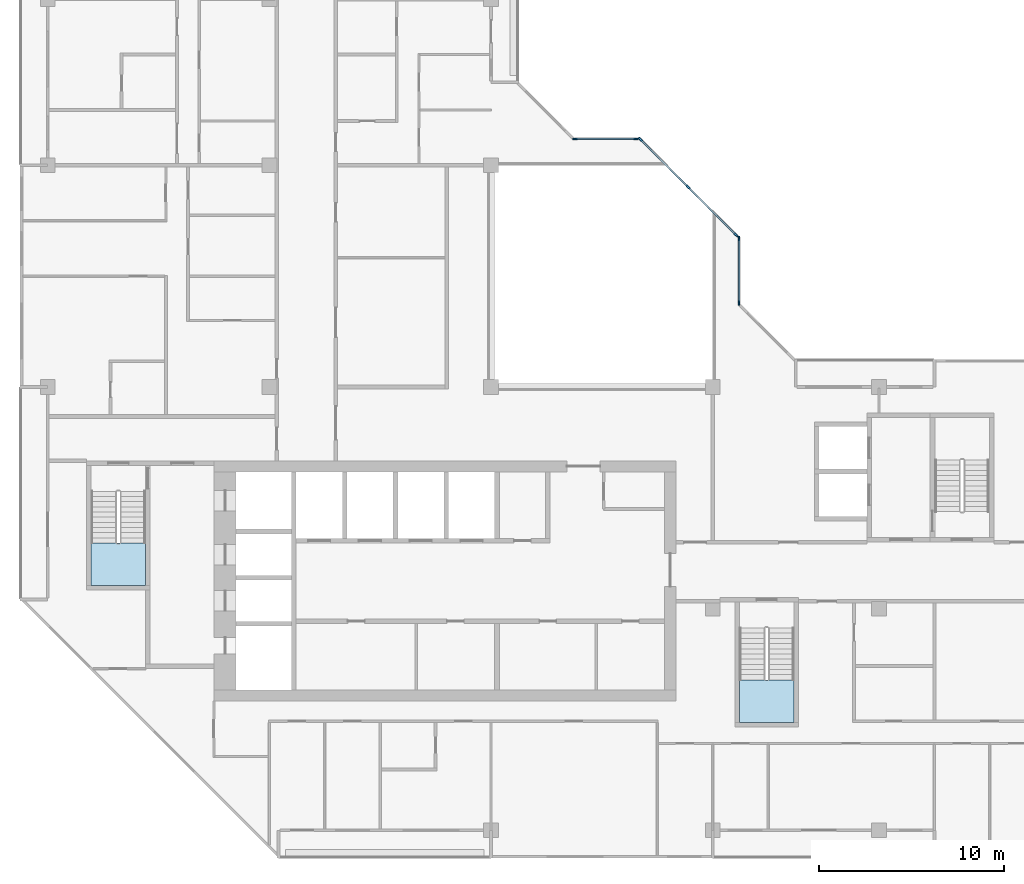
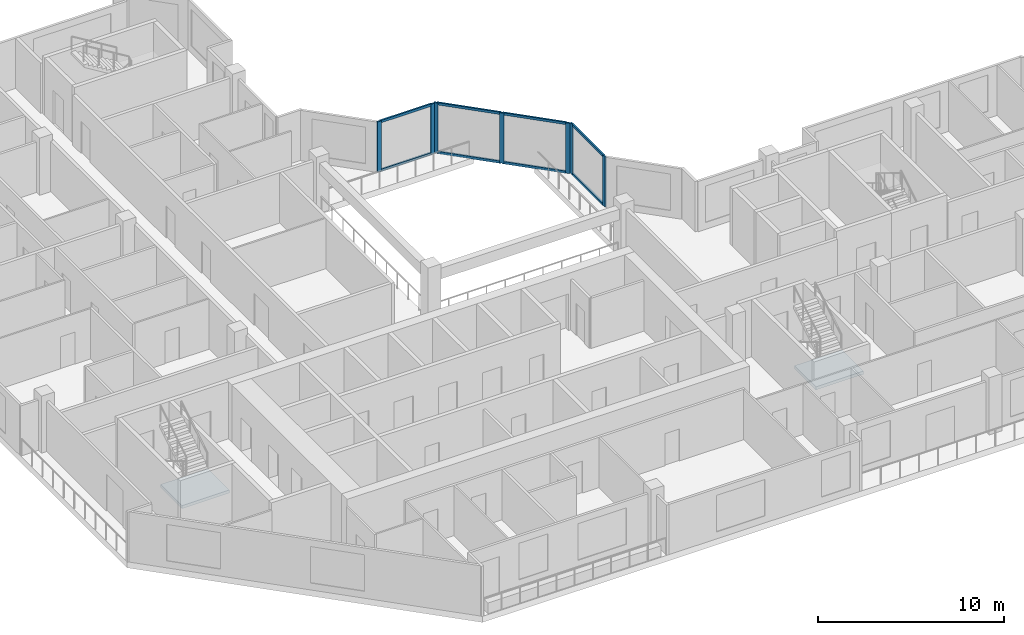
# One storey, part 2 of 13: 15 members, 2 slabs, 5 elements without a shape of their own.
"""IFC4 building model written with IfcOpenShell, lengths in metres."""

import ifcopenshell
import ifcopenshell.guid

model = None  # the IFC model being written
_history = None  # IfcOwnerHistory: only IFC2X3 demands one
_inside = {}  # id of a spatial element -> (the spatial element, [elements in it])
_under = {}  # id of a project, library or spatial element -> (it, [spatial elements below it])
_declared = {}  # id of a project -> (the project, [libraries it declares])
_typed = {}  # id of a type object -> (the type object, [elements of that type])
_made_of = {}  # id of a material, layer set ... -> (it, [elements and type objects made of it])


def new_model(schema):
    """Start an empty IFC model of exactly this schema.

    Asked for "IFC4X3", IfcOpenShell would pick the latest addendum, in which some entities
    have other attributes; the version numbers below select the first issue.
    IFC2X3 requires an IfcOwnerHistory on every rooted entity: one is made here for all.
    """
    global model, _history
    if schema == "IFC4X3":
        model = ifcopenshell.file(schema_version=(4, 3, 0, 0))
    else:
        model = ifcopenshell.file(schema=schema)
    _inside.clear()
    _under.clear()
    _declared.clear()
    _typed.clear()
    _made_of.clear()
    _history = None
    if model.schema == "IFC2X3":
        org = make("IfcOrganization", Name="unknown")
        user = make(
            "IfcPersonAndOrganization",
            ThePerson=make("IfcPerson", FamilyName="unknown"),
            TheOrganization=org,
        )
        app = make(
            "IfcApplication",
            ApplicationDeveloper=org,
            Version="unknown",
            ApplicationFullName="unknown",
            ApplicationIdentifier="unknown",
        )
        _history = make(
            "IfcOwnerHistory",
            OwningUser=user,
            OwningApplication=app,
            ChangeAction="ADDED",
            CreationDate=0,
        )
    return model


def make(cls, **values):
    """One entity of the class cls with the attributes given. An attribute that is None is left unset."""
    return model.create_entity(
        cls, **{name: value for name, value in values.items() if value is not None}
    )


def rooted(cls, **values):
    """An entity with a GlobalId (a new one), such as an element, a storey or a relation."""
    return make(cls, GlobalId=ifcopenshell.guid.new(), OwnerHistory=_history, **values)


def si_unit(unit_type, name, prefix=None):
    """IfcSIUnit, for example si_unit("LENGTHUNIT", "METRE", prefix="MILLI")."""
    return make("IfcSIUnit", UnitType=unit_type, Prefix=prefix, Name=name)


def assignment(units):
    """IfcUnitAssignment: the units of a project."""
    return None if units is None else make("IfcUnitAssignment", Units=units)


def point(xyz):
    """IfcCartesianPoint."""
    return None if xyz is None else make("IfcCartesianPoint", Coordinates=xyz)


def direction(xyz):
    """IfcDirection."""
    return None if xyz is None else make("IfcDirection", DirectionRatios=xyz)


def frame(location, z_axis=None, x_axis=None):
    """IfcAxis2Placement3D, a coordinate frame: its origin and axes. An axis left out is left unset."""
    return make(
        "IfcAxis2Placement3D",
        Location=point(location),
        Axis=direction(z_axis),
        RefDirection=direction(x_axis),
    )


def frame_2d(location, x_axis=None):
    """IfcAxis2Placement2D, a coordinate frame in the plane: its origin and x axis."""
    return make(
        "IfcAxis2Placement2D", Location=point(location), RefDirection=direction(x_axis)
    )


def origin():
    """The frame at (0, 0, 0) with its axes left unset."""
    return frame((0.0, 0.0, 0.0))


def origin_2d():
    """The frame at (0, 0) in the plane with its x axis left unset."""
    return frame_2d((0.0, 0.0))


def place(relative_to, where):
    """IfcLocalPlacement: puts the frame where relative to a parent placement (None: the world)."""
    return make(
        "IfcLocalPlacement", PlacementRelTo=relative_to, RelativePlacement=where
    )


def context(
    kind, dimensions, precision=None, world=None, true_north=None, identifier=None
):
    """IfcGeometricRepresentationContext, for example the 3D "Model" context."""
    return make(
        "IfcGeometricRepresentationContext",
        ContextIdentifier=identifier,
        ContextType=kind,
        CoordinateSpaceDimension=dimensions,
        Precision=precision,
        WorldCoordinateSystem=world,
        TrueNorth=true_north,
    )


def subcontext(parent, identifier, kind, view, scale=None):
    """IfcGeometricRepresentationSubContext, for example "Body" below "Model"."""
    return make(
        "IfcGeometricRepresentationSubContext",
        ContextIdentifier=identifier,
        ContextType=kind,
        ParentContext=parent,
        TargetScale=scale,
        TargetView=view,
    )


def project(units=None, contexts=None):
    """IfcProject with its units and contexts."""
    return rooted(
        "IfcProject",
        Name="project",
        RepresentationContexts=contexts,
        UnitsInContext=assignment(units),
    )


def spatial(cls, under=None, at=None, **own):
    """A site, building, storey or space (cls), placed at a placement, below another one or the project."""
    s = rooted(cls, ObjectPlacement=at, **own)
    if under is not None:
        _under.setdefault(under.id(), (under, []))[1].append(s)
    return s


def polyline(points):
    """IfcPolyline through the points."""
    return make("IfcPolyline", Points=[point(p) for p in points])


def profile(cls, at=None, kind="AREA", **sizes):
    """A parametric profile (cls). Its sizes go by their IFC names, for example OverallWidth=200.0."""
    return make(cls, ProfileType=kind, Position=at, **sizes)


def rectangle(**sizes):
    """IfcRectangleProfileDef."""
    return profile("IfcRectangleProfileDef", **sizes)


def outline(outer, holes=None, kind="AREA"):
    """IfcArbitraryClosedProfileDef: a profile drawn as a closed curve; with holes, ...WithVoids."""
    if holes is None:
        return make("IfcArbitraryClosedProfileDef", ProfileType=kind, OuterCurve=outer)
    return make(
        "IfcArbitraryProfileDefWithVoids",
        ProfileType=kind,
        OuterCurve=outer,
        InnerCurves=holes,
    )


def extrude(swept, where, along, depth):
    """IfcExtrudedAreaSolid: the profile swept, set in the frame where, extruded along a direction by depth."""
    return make(
        "IfcExtrudedAreaSolid",
        SweptArea=swept,
        Position=where,
        ExtrudedDirection=direction(along),
        Depth=depth,
    )


def shape(context_of_items, identifier, shape_type, items):
    """IfcShapeRepresentation: the items that make up one representation, for example the "Body"."""
    return make(
        "IfcShapeRepresentation",
        ContextOfItems=context_of_items,
        RepresentationIdentifier=identifier,
        RepresentationType=shape_type,
        Items=items,
    )


def material(Name=None, Category=None):
    """IfcMaterial."""
    return make("IfcMaterial", Name=Name, Category=Category)


def layer(
    of_material, thickness, ventilated=None, Name=None, Category=None, Priority=None
):
    """IfcMaterialLayer: one layer of a wall or slab, of a material (None: an air gap)."""
    return make(
        "IfcMaterialLayer",
        Material=of_material,
        LayerThickness=thickness,
        IsVentilated=ventilated,
        Name=Name,
        Category=Category,
        Priority=Priority,
    )


def layer_set(layers, Name=None):
    """IfcMaterialLayerSet."""
    return make("IfcMaterialLayerSet", MaterialLayers=layers, LayerSetName=Name)


def material_profile(
    of_material, cross_section, Name=None, Category=None, Priority=None
):
    """IfcMaterialProfile: a cross section and its material."""
    return make(
        "IfcMaterialProfile",
        Name=Name,
        Material=of_material,
        Profile=cross_section,
        Priority=Priority,
        Category=Category,
    )


def profile_set(profiles, Name=None, composite=None):
    """IfcMaterialProfileSet."""
    return make(
        "IfcMaterialProfileSet",
        Name=Name,
        MaterialProfiles=profiles,
        CompositeProfile=composite,
    )


def made_of(thing, what):
    """Note that an element or type object is made of a material, layer set ...; save() writes the relation."""
    if what is not None:
        _made_of.setdefault(what.id(), (what, []))[1].append(thing)
    return thing


def type_object(cls, material=None, **own):
    """A type object (cls), such as IfcWallType, which elements share."""
    return made_of(rooted(cls, **own), material)


def element(
    cls,
    number,
    at=None,
    inside=None,
    cuts=None,
    type_object=None,
    material=None,
    context=None,
    identifier="Body",
    shape_type=None,
    held_by="IfcProductDefinitionShape",
    body=None,
    shapes=None,
    **own,
):
    """One element of the class cls, such as IfcWall. Its Tag is "e" and its number.

    at: its placement. inside: the storey or other place that contains it. cuts: it is an
    opening in that element (IfcRelVoidsElement). A single representation is given by context,
    identifier, shape_type and body (its items); several are given by shapes. held_by: the class
    of the entity that holds the representations. save() writes the other relations.
    """
    e = rooted(cls, Tag="e%d" % number, ObjectPlacement=at, **own)
    if body is not None:
        shapes = [shape(context, identifier, shape_type, body)]
    if shapes is not None:
        e.Representation = make(held_by, Representations=shapes)
    if inside is not None:
        _inside.setdefault(inside.id(), (inside, []))[1].append(e)
    if cuts is not None:
        rooted(
            "IfcRelVoidsElement", RelatingBuildingElement=cuts, RelatedOpeningElement=e
        )
    if type_object is not None:
        _typed.setdefault(type_object.id(), (type_object, []))[1].append(e)
    return made_of(e, material)


def aggregate(whole, parts):
    """IfcRelAggregates: a whole, such as a stair, and the parts it consists of."""
    return rooted("IfcRelAggregates", RelatingObject=whole, RelatedObjects=parts)


def save(model, path):
    """Write the relations noted so far, then the file.

    IfcRelAggregates (storeys below a building ...), IfcRelContainedInSpatialStructure (elements
    in a storey), IfcRelDefinesByType, IfcRelAssociatesMaterial and IfcRelDeclares: one each for
    every whole, place, type object, material and project.
    """
    for whole, parts in _under.values():
        aggregate(whole, parts)
    for where, things in _inside.values():
        rooted(
            "IfcRelContainedInSpatialStructure",
            RelatedElements=things,
            RelatingStructure=where,
        )
    for kind, things in _typed.values():
        rooted("IfcRelDefinesByType", RelatedObjects=things, RelatingType=kind)
    for what, things in _made_of.values():
        rooted("IfcRelAssociatesMaterial", RelatedObjects=things, RelatingMaterial=what)
    for by, libraries in _declared.values():
        rooted("IfcRelDeclares", RelatingContext=by, RelatedDefinitions=libraries)
    model.write(path)


model = new_model("IFC4")

# Units and contexts
model_context = context("Model", 3, precision=1e-05, world=origin(), true_north=direction((0.0, 1.0)))
body_context = subcontext(model_context, "Body", "Model", "MODEL_VIEW")
ifc_project = project(units=[si_unit("LENGTHUNIT", "METRE"), si_unit("AREAUNIT", "SQUARE_METRE"), si_unit("VOLUMEUNIT", "CUBIC_METRE"), si_unit("PLANEANGLEUNIT", "RADIAN"), si_unit("MASSUNIT", "GRAM", prefix="KILO")], contexts=[model_context])

# Site, building, storey
site_placement = place(None, origin())
site = spatial("IfcSite", under=ifc_project, at=site_placement, CompositionType="ELEMENT")
building_placement = place(site_placement, origin())
building = spatial("IfcBuilding", under=site, at=building_placement, Name="Chenar Terraces", CompositionType="ELEMENT")
storey_placement = place(building_placement, frame((0.0, 0.0, 318.39990234375)))
storey = spatial("IfcBuildingStorey", under=building, at=storey_placement, Name="L75", CompositionType="ELEMENT", Elevation=318.39990234375)

# Curtain wall, members
ifc_material_1 = material(Name="Aluminium framed glazing", Category="aluminium")
ifc_layer_1 = layer(ifc_material_1, 0.14990234375)
ifc_layer_set_1 = layer_set([ifc_layer_1], Name="Aluminium framed glazing")
curtain_wall_type = type_object("IfcCurtainWallType", Name="Atrium upper-zone curtain wall", PredefinedType="NOTDEFINED", material=ifc_layer_set_1)
placement_1 = place(storey_placement, origin())
curtain_wall_1 = element("IfcCurtainWall", 1, at=placement_1, inside=storey, type_object=curtain_wall_type, Name="Atrium upper-zone curtain wall", PredefinedType="NOTDEFINED")
ifc_material_2 = material(Name="Aluminium", Category="aluminium")
ifc_material_profile_1 = material_profile(ifc_material_2, rectangle(XDim=0.10009765625, YDim=0.239990234375, at=origin_2d()), Name="Atrium upper-zone glazing mullion 100 x 240")
ifc_profile_set_1 = profile_set([ifc_material_profile_1], Name="Aluminium")
member_type_1 = type_object("IfcMemberType", Name="Atrium upper-zone glazing mullion 100 x 240", PredefinedType="MULLION", material=ifc_profile_set_1)
member_1_placement = place(storey_placement, frame((37.425048828125, 28.550048828125, 0.0), z_axis=(0.0, 0.0, 1.0), x_axis=(-1.0, 0.0, 0.0)))
member_1 = element("IfcMember", 2, at=member_1_placement, type_object=member_type_1, Name="CW8-1 mullion 1", PredefinedType="MULLION", context=body_context, shape_type="SweptSolid", body=[
    extrude(rectangle(XDim=0.10009765625, YDim=0.239990234375, at=origin_2d()), origin(), (0.0, 0.0, 1.0), 3.300048828125),
])
member_2_placement = place(storey_placement, frame((37.425048828125, 32.050048828125, 0.0), z_axis=(0.0, 0.0, 1.0), x_axis=(-1.0, 0.0, 0.0)))
member_2 = element("IfcMember", 3, at=member_2_placement, type_object=member_type_1, Name="CW8-1 mullion 2", PredefinedType="MULLION", context=body_context, shape_type="SweptSolid", body=[
    extrude(rectangle(XDim=0.10009765625, YDim=0.239990234375, at=origin_2d()), origin(), (0.0, 0.0, 1.0), 3.300048828125),
])

curtain_wall_2 = element("IfcCurtainWall", 4, at=placement_1, inside=storey, type_object=curtain_wall_type, Name="Atrium upper-zone curtain wall", PredefinedType="NOTDEFINED")
member_3_placement = place(storey_placement, frame((37.270263671875, 32.2236328125, 0.0), z_axis=(0.0, 0.0, 1.0), x_axis=(-0.707106781187, -0.707106781187, 0.0)))
member_3 = element("IfcMember", 5, at=member_3_placement, type_object=member_type_1, Name="CW8-2 mullion 1", PredefinedType="MULLION", context=body_context, shape_type="SweptSolid", body=[
    extrude(rectangle(XDim=0.10009765625, YDim=0.239990234375, at=origin_2d()), origin(), (0.0, 0.0, 1.0), 3.300048828125),
])
member_4_placement = place(storey_placement, frame((34.67626953125, 34.817626953125, 0.0), z_axis=(0.0, 0.0, 1.0), x_axis=(-0.707106781187, -0.707106781187, 0.0)))
member_4 = element("IfcMember", 6, at=member_4_placement, type_object=member_type_1, Name="CW8-2 mullion 2", PredefinedType="MULLION", context=body_context, shape_type="SweptSolid", body=[
    extrude(rectangle(XDim=0.10009765625, YDim=0.239990234375, at=origin_2d()), origin(), (0.0, 0.0, 1.0), 3.300048828125),
])
member_5_placement = place(storey_placement, frame((32.082275390625, 37.41162109375, 0.0), z_axis=(0.0, 0.0, 1.0), x_axis=(-0.707106781187, -0.707106781187, 0.0)))
member_5 = element("IfcMember", 7, at=member_5_placement, type_object=member_type_1, Name="CW8-2 mullion 3", PredefinedType="MULLION", context=body_context, shape_type="SweptSolid", body=[
    extrude(rectangle(XDim=0.10009765625, YDim=0.239990234375, at=origin_2d()), origin(), (0.0, 0.0, 1.0), 3.300048828125),
])

curtain_wall_3 = element("IfcCurtainWall", 8, at=placement_1, inside=storey, type_object=curtain_wall_type, Name="Atrium upper-zone curtain wall", PredefinedType="NOTDEFINED")
member_6_placement = place(storey_placement, frame((31.85009765625, 37.425048828125, 0.0), z_axis=(0.0, 0.0, 1.0), x_axis=(0.0, -1.0, 0.0)))
member_6 = element("IfcMember", 9, at=member_6_placement, type_object=member_type_1, Name="CW8-3 mullion 1", PredefinedType="MULLION", context=body_context, shape_type="SweptSolid", body=[
    extrude(rectangle(XDim=0.10009765625, YDim=0.239990234375, at=origin_2d()), origin(), (0.0, 0.0, 1.0), 3.300048828125),
])
member_7_placement = place(storey_placement, frame((28.550048828125, 37.425048828125, 0.0), z_axis=(0.0, 0.0, 1.0), x_axis=(0.0, -1.0, 0.0)))
member_7 = element("IfcMember", 10, at=member_7_placement, type_object=member_type_1, Name="CW8-3 mullion 2", PredefinedType="MULLION", context=body_context, shape_type="SweptSolid", body=[
    extrude(rectangle(XDim=0.10009765625, YDim=0.239990234375, at=origin_2d()), origin(), (0.0, 0.0, 1.0), 3.300048828125),
])

# Member
ifc_material_3 = material(Name="Aluminium", Category="aluminium")
ifc_material_profile_2 = material_profile(ifc_material_3, rectangle(XDim=0.10009765625, YDim=0.159912109375, at=origin_2d()), Name="Atrium upper-zone glazing transom 100 x 160")
ifc_profile_set_2 = profile_set([ifc_material_profile_2], Name="Aluminium")
member_type_2 = type_object("IfcMemberType", Name="Atrium upper-zone glazing transom 100 x 160", PredefinedType="USERDEFINED", material=ifc_profile_set_2)
member_8_placement = place(storey_placement, frame((37.425048828125, 28.60009765625, 0.050048828125), z_axis=(0.0, 1.0, 0.0), x_axis=(-1.0, 0.0, 0.0)))
member_8 = element("IfcMember", 11, at=member_8_placement, type_object=member_type_2, Name="CW8-1 transom 1.1", ObjectType="TRANSOM", PredefinedType="USERDEFINED", context=body_context, shape_type="SweptSolid", body=[
    extrude(rectangle(XDim=0.10009765625, YDim=0.159912109375, at=origin_2d()), origin(), (0.0, 0.0, 1.0), 3.39990234375),
])

member_9_placement = place(storey_placement, frame((37.425048828125, 28.60009765625, 3.25), z_axis=(0.0, 1.0, 0.0), x_axis=(-1.0, 0.0, 0.0)))
member_9 = element("IfcMember", 12, at=member_9_placement, type_object=member_type_2, Name="CW8-1 transom 1.2", ObjectType="TRANSOM", PredefinedType="USERDEFINED", context=body_context, shape_type="SweptSolid", body=[
    extrude(rectangle(XDim=0.10009765625, YDim=0.159912109375, at=origin_2d()), origin(), (0.0, 0.0, 1.0), 3.39990234375),
])

aggregate(curtain_wall_1, [member_1, member_2, member_8, member_9])

member_10_placement = place(storey_placement, frame((37.23486328125, 32.259033203125, 0.050048828125), z_axis=(-0.707106781187, 0.707106781187, 0.0), x_axis=(-0.707106781187, -0.707106781187, 0.0)))
member_10 = element("IfcMember", 13, at=member_10_placement, type_object=member_type_2, Name="CW8-2 transom 1.1", ObjectType="TRANSOM", PredefinedType="USERDEFINED", context=body_context, shape_type="SweptSolid", body=[
    extrude(rectangle(XDim=0.10009765625, YDim=0.159912109375, at=origin_2d()), origin(), (0.0, 0.0, 1.0), 3.568359375),
])

member_11_placement = place(storey_placement, frame((37.23486328125, 32.259033203125, 3.25), z_axis=(-0.707106781187, 0.707106781187, 0.0), x_axis=(-0.707106781187, -0.707106781187, 0.0)))
member_11 = element("IfcMember", 14, at=member_11_placement, type_object=member_type_2, Name="CW8-2 transom 1.2", ObjectType="TRANSOM", PredefinedType="USERDEFINED", context=body_context, shape_type="SweptSolid", body=[
    extrude(rectangle(XDim=0.10009765625, YDim=0.159912109375, at=origin_2d()), origin(), (0.0, 0.0, 1.0), 3.568359375),
])

member_12_placement = place(storey_placement, frame((34.640869140625, 34.85302734375, 0.050048828125), z_axis=(-0.707106781187, 0.707106781187, 0.0), x_axis=(-0.707106781187, -0.707106781187, 0.0)))
member_12 = element("IfcMember", 15, at=member_12_placement, type_object=member_type_2, Name="CW8-2 transom 2.1", ObjectType="TRANSOM", PredefinedType="USERDEFINED", context=body_context, shape_type="SweptSolid", body=[
    extrude(rectangle(XDim=0.10009765625, YDim=0.159912109375, at=origin_2d()), origin(), (0.0, 0.0, 1.0), 3.568359375),
])

member_13_placement = place(storey_placement, frame((34.640869140625, 34.85302734375, 3.25), z_axis=(-0.707106781187, 0.707106781187, 0.0), x_axis=(-0.707106781187, -0.707106781187, 0.0)))
member_13 = element("IfcMember", 16, at=member_13_placement, type_object=member_type_2, Name="CW8-2 transom 2.2", ObjectType="TRANSOM", PredefinedType="USERDEFINED", context=body_context, shape_type="SweptSolid", body=[
    extrude(rectangle(XDim=0.10009765625, YDim=0.159912109375, at=origin_2d()), origin(), (0.0, 0.0, 1.0), 3.568359375),
])

aggregate(curtain_wall_2, [member_3, member_4, member_5, member_10, member_11, member_12, member_13])

member_14_placement = place(storey_placement, frame((31.800048828125, 37.425048828125, 0.050048828125), z_axis=(-1.0, 0.0, 0.0), x_axis=(0.0, -1.0, 0.0)))
member_14 = element("IfcMember", 17, at=member_14_placement, type_object=member_type_2, Name="CW8-3 transom 1.1", ObjectType="TRANSOM", PredefinedType="USERDEFINED", context=body_context, shape_type="SweptSolid", body=[
    extrude(rectangle(XDim=0.10009765625, YDim=0.159912109375, at=origin_2d()), origin(), (0.0, 0.0, 1.0), 3.199951171875),
])

member_15_placement = place(storey_placement, frame((31.800048828125, 37.425048828125, 3.25), z_axis=(-1.0, 0.0, 0.0), x_axis=(0.0, -1.0, 0.0)))
member_15 = element("IfcMember", 18, at=member_15_placement, type_object=member_type_2, Name="CW8-3 transom 1.2", ObjectType="TRANSOM", PredefinedType="USERDEFINED", context=body_context, shape_type="SweptSolid", body=[
    extrude(rectangle(XDim=0.10009765625, YDim=0.159912109375, at=origin_2d()), origin(), (0.0, 0.0, 1.0), 3.199951171875),
])

aggregate(curtain_wall_3, [member_6, member_7, member_14, member_15])

# Stair, slab
ifc_material_4 = material(Name="Reinforced concrete C40/50", Category="concrete")
stair_type = type_object("IfcStairType", Name="Core stair 1400 half-turn", PredefinedType="HALF_TURN_STAIR", material=ifc_material_4)
stair_1 = element("IfcStair", 19, at=placement_1, inside=storey, type_object=stair_type, Name="L75 Stair 1", PredefinedType="HALF_TURN_STAIR")
ifc_material_5 = material(Name="Reinforced concrete C40/50", Category="concrete")
ifc_layer_2 = layer(ifc_material_5, 0.199951171875)
ifc_layer_set_2 = layer_set([ifc_layer_2], Name="Reinforced concrete C40/50")
slab_type = type_object("IfcSlabType", Name="Core stair landing 200", PredefinedType="LANDING", material=ifc_layer_set_2)
placement_2 = place(storey_placement, frame((0.0, 0.0, 1.675048828125)))
slab_1 = element("IfcSlab", 20, at=placement_2, type_object=slab_type, Name="ST1 landing 1", PredefinedType="LANDING", context=body_context, shape_type="SweptSolid", body=[
    extrude(outline(polyline([(2.35009765625, 15.550048828125), (2.35009765625, 13.25), (5.300048828125, 13.25), (5.300048828125, 15.550048828125), (2.35009765625, 15.550048828125)])), origin(), (0.0, 0.0, 1.0), 0.199951171875),
])
aggregate(stair_1, [slab_1])

stair_2 = element("IfcStair", 21, at=placement_1, inside=storey, type_object=stair_type, Name="L75 Stair 2", PredefinedType="HALF_TURN_STAIR")
slab_2 = element("IfcSlab", 22, at=placement_2, type_object=slab_type, Name="ST2 landing 1", PredefinedType="LANDING", context=body_context, shape_type="SweptSolid", body=[
    extrude(outline(polyline([(37.449951171875, 8.14990234375), (37.449951171875, 5.85009765625), (40.39990234375, 5.85009765625), (40.39990234375, 8.14990234375), (37.449951171875, 8.14990234375)])), origin(), (0.0, 0.0, 1.0), 0.199951171875),
])
aggregate(stair_2, [slab_2])

save(model, "model.ifc")
